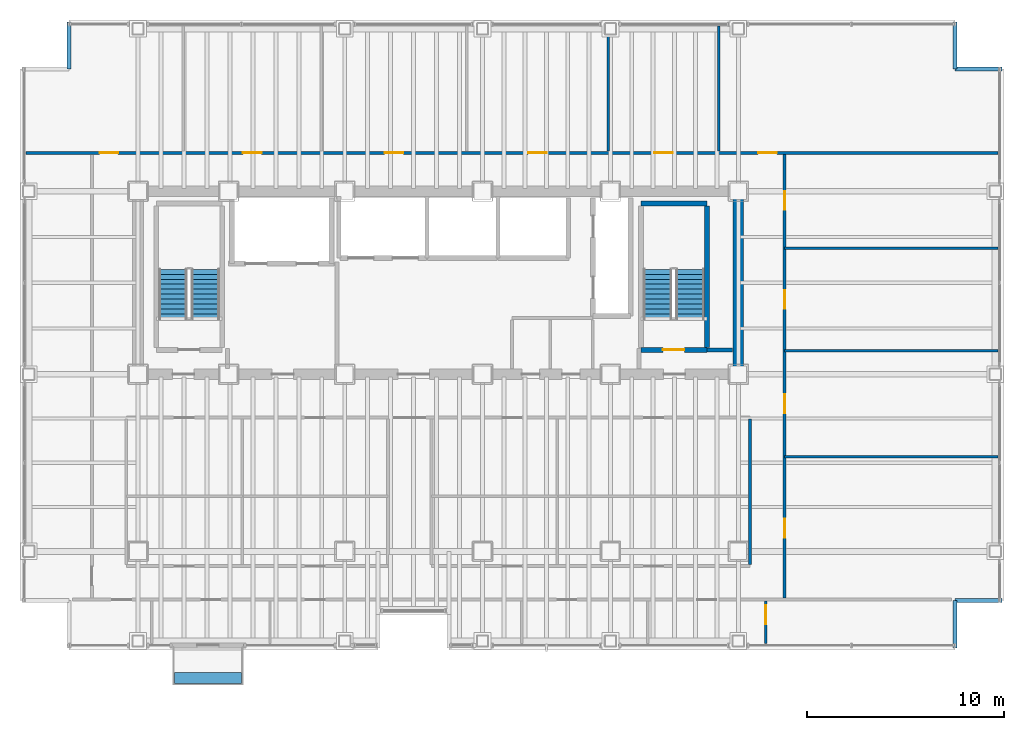
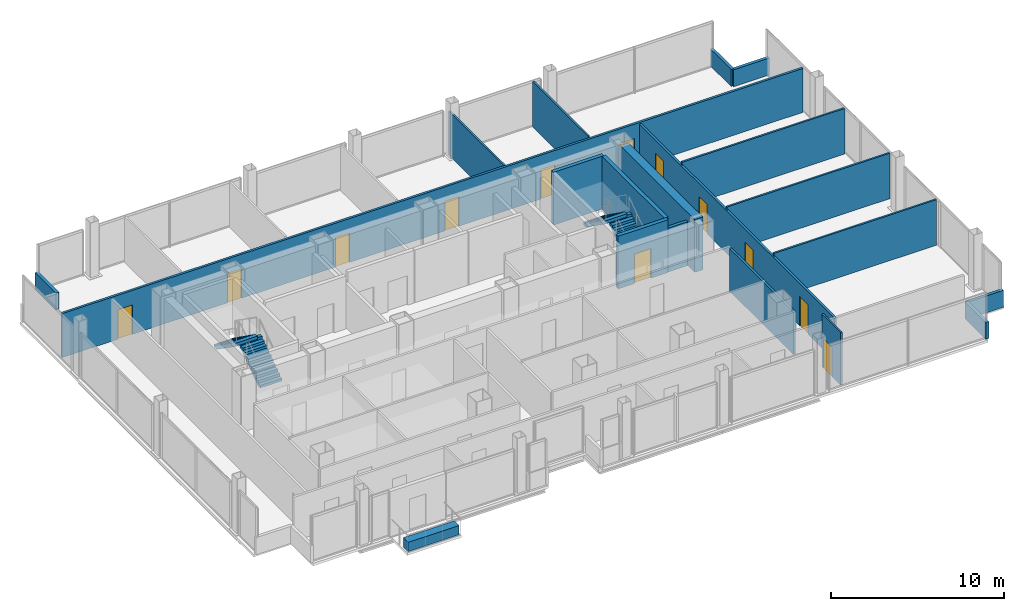
# One storey, part 19 of 20: 19 walls, 12 doors, 4 stair flights, 1 discrete accessory, 12 openings, 2 elements without a shape of their own.
"""IFC4 building model written with IfcOpenShell, lengths in metres."""

from ifc_helpers import new_model, si_unit, direction, frame, frame_2d, origin, origin_2d, place, context, subcontext, project, spatial, polyline, rectangle, outline, extrude, material, layer, layer_set, type_object, element, fill, aggregate, save


model = new_model("IFC4")

# Units and contexts
model_context = context("Model", 3, precision=1e-05, world=origin(), true_north=direction((0.0, 1.0)))
body_context = subcontext(model_context, "Body", "Model", "MODEL_VIEW")
ifc_project = project(units=[si_unit("LENGTHUNIT", "METRE"), si_unit("AREAUNIT", "SQUARE_METRE"), si_unit("VOLUMEUNIT", "CUBIC_METRE"), si_unit("PLANEANGLEUNIT", "RADIAN"), si_unit("MASSUNIT", "GRAM", prefix="KILO")], contexts=[model_context])

# Site, building, storey
site_placement = place(None, origin())
site = spatial("IfcSite", under=ifc_project, at=site_placement, CompositionType="ELEMENT")
building_placement = place(site_placement, origin())
building = spatial("IfcBuilding", under=site, at=building_placement, Name="Noeulbin Bourse Tower", CompositionType="ELEMENT")
storey_placement = place(building_placement, frame((0.0, 0.0, 69.39990234375)))
storey = spatial("IfcBuildingStorey", under=building, at=storey_placement, Name="L17", CompositionType="ELEMENT", Elevation=69.39990234375)

# Walls
ifc_material_1 = material(Name="Concrete C60/75", Category="concrete")
ifc_layer_1 = layer(ifc_material_1, 0.550048828125)
ifc_layer_set_1 = layer_set([ifc_layer_1], Name="Concrete C60/75")
wall_type_1 = type_object("IfcWallType", Name="WAL-CORE-550", PredefinedType="SHEAR", material=ifc_layer_set_1)
wall_1_placement = place(storey_placement, frame((44.0, 29.35009765625, 0.0), z_axis=(0.0, 0.0, 1.0), x_axis=(0.0, 1.0, 0.0)))
element("IfcWall", 1, at=wall_1_placement, inside=storey, type_object=wall_type_1, Name="Rear Core East Shear Wall L17", PredefinedType="SHEAR", context=body_context, shape_type="SweptSolid", body=[
    extrude(rectangle(XDim=8.599853515625, YDim=0.550048828125, at=frame_2d((4.2998046875, 0.0))), origin(), (0.0, 0.0, 1.0), 3.72021484375),
])
ifc_material_2 = material(Name="Concrete C40/50", Category="concrete")
ifc_layer_2 = layer(ifc_material_2, 0.199951171875)
ifc_layer_set_2 = layer_set([ifc_layer_2], Name="Concrete C40/50")
wall_type_2 = type_object("IfcWallType", Name="WAL-FIRE-200", PredefinedType="STANDARD", material=ifc_layer_set_2)
wall_2_placement = place(storey_placement, frame((42.39990234375, 30.239990234375, 0.0), z_axis=(0.0, 0.0, 1.0), x_axis=(1.0, 0.0, 0.0)))
element("IfcWall", 2, at=wall_2_placement, inside=storey, type_object=wall_type_2, Name="Interior Partition Wall L17-01", PredefinedType="STANDARD", context=body_context, shape_type="SweptSolid", body=[
    extrude(rectangle(XDim=1.315185546875, YDim=0.199951171875, at=frame_2d((0.65771484375, 0.0))), origin(), (0.0, 0.0, 1.0), 3.10009765625),
])
ifc_layer_3 = layer(ifc_material_2, 0.199951171875)
ifc_layer_set_3 = layer_set([ifc_layer_3], Name="Concrete C40/50")
wall_type_3 = type_object("IfcWallType", Name="WAL-PAR-200", PredefinedType="PARAPET", material=ifc_layer_set_3)
for number, where, z_axis, x_axis, name in (
    (3, (55.0, 15.10009765625, 0.0), (0.0, 0.0, 1.0), (0.0, 1.0, 0.0), "Corner Notch Parapet L17-SE1"),
    (4, (55.0, 17.5, 0.0), (0.0, 0.0, 1.0), (1.0, 0.0, 0.0), "Corner Notch Parapet L17-SE2"),
    (5, (10.0, 44.5, 0.0), (0.0, 0.0, 1.0), (0.0, 1.0, 0.0), "Corner Notch Parapet L17-NW2"),
    (6, (55.0, 46.89990234375, 0.0), (0.0, 0.0, 1.0), (0.0, -1.0, 0.0), "Corner Notch Parapet L17-NE1"),
    (7, (55.0, 44.5, 0.0), (0.0, 0.0, 1.0), (1.0, 0.0, 0.0), "Corner Notch Parapet L17-NE2"),
):
    element("IfcWall", number, at=place(storey_placement, frame(where, z_axis=z_axis, x_axis=x_axis)), inside=storey, type_object=wall_type_3, Name=name, PredefinedType="PARAPET", context=body_context, shape_type="SweptSolid", body=[
        extrude(rectangle(XDim=2.39990234375, YDim=0.199951171875, at=frame_2d((1.199951171875, 0.0))), origin(), (0.0, 0.0, 1.0), 1.2001953125),
    ])
ifc_material_3 = material(Name="Steel Stud Gypsum Partition", Category="steel")
ifc_layer_4 = layer(ifc_material_3, 0.1201171875)
ifc_layer_set_4 = layer_set([ifc_layer_4], Name="Steel Stud Gypsum Partition")
wall_type_4 = type_object("IfcWallType", Name="WAL-PRT-120", PredefinedType="PARTITIONING", material=ifc_layer_set_4)
for number, where, z_axis, x_axis, name in (
    (8, (46.35009765625, 24.800048828125, 0.0), (0.0, 0.0, 1.0), (1.0, 0.0, 0.0), "Interior Partition Wall L17-11"),
    (9, (46.35009765625, 30.199951171875, 0.0), (0.0, 0.0, 1.0), (1.0, 0.0, 0.0), "Interior Partition Wall L17-12"),
    (10, (46.35009765625, 35.39990234375, 0.0), (0.0, 0.0, 1.0), (1.0, 0.0, 0.0), "Interior Partition Wall L17-13"),
):
    element("IfcWall", number, at=place(storey_placement, frame(where, z_axis=z_axis, x_axis=x_axis)), inside=storey, type_object=wall_type_4, Name=name, PredefinedType="PARTITIONING", context=body_context, shape_type="SweptSolid", body=[
        extrude(rectangle(XDim=10.83984375, YDim=0.1201171875, at=frame_2d((5.419921875, 0.0))), origin(), (0.0, 0.0, 1.0), 3.212158203125),
    ])

# Wall, opening, door
wall_3_placement = place(storey_placement, frame((45.39990234375, 15.31005859375, 0.0), z_axis=(0.0, 0.0, 1.0), x_axis=(0.0, 1.0, 0.0)))
wall_3 = element("IfcWall", 11, at=wall_3_placement, inside=storey, type_object=wall_type_4, Name="Interior Partition Wall L17-31", PredefinedType="PARTITIONING", context=body_context, shape_type="SweptSolid", body=[
    extrude(rectangle(XDim=2.155029296875, YDim=0.1201171875, at=frame_2d((1.07763671875, 0.0))), origin(), (0.0, 0.0, 1.0), 3.72021484375),
])
opening_1_placement = place(wall_3_placement, frame((0.9951171875, 0.0, 0.0)))
opening_1 = element("IfcOpeningElement", 12, at=opening_1_placement, cuts=wall_3, Name="Opening ID-09", PredefinedType="OPENING", context=body_context, shape_type="SweptSolid", body=[
    extrude(rectangle(XDim=0.949951171875, YDim=2.080078125, at=frame_2d((0.47509765625, 1.0400390625))), frame((0.0, 0.070068359375, 0.0), z_axis=(0.0, -1.0, 0.0), x_axis=(1.0, 0.0, 0.0)), (0.0, 0.0, 1.0), 0.14013671875),
])
ifc_material_4 = material(Name="Acoustic Solid-Core Timber", Category="wood")
door_type_1 = type_object("IfcDoorType", Name="DR-SINGLE-950", OperationType="SINGLE_SWING_LEFT", PredefinedType="DOOR", material=ifc_material_4)
door_1_placement = place(opening_1_placement, origin())
door_1 = element("IfcDoor", 13, at=door_1_placement, inside=storey, type_object=door_type_1, Name="Interior Door L17-13", OperationType="SINGLE_SWING_RIGHT", OverallHeight=2.080078125, OverallWidth=0.949951171875, PredefinedType="DOOR", context=body_context, shape_type="SweptSolid", body=[
    extrude(rectangle(XDim=0.949951171875, YDim=2.080078125, at=frame_2d((0.47509765625, 1.0400390625))), frame((0.0, 0.02490234375, 0.0), z_axis=(0.0, -1.0, 0.0), x_axis=(1.0, 0.0, 0.0)), (0.0, 0.0, 1.0), 0.050048828125),
])
fill(opening_1, door_1)

# Walls
wall_4_placement = place(storey_placement, frame((37.39990234375, 40.3349609375, 0.0), z_axis=(0.0, 0.0, 1.0), x_axis=(0.0, 1.0, 0.0)))
element("IfcWall", 14, at=wall_4_placement, inside=storey, type_object=wall_type_4, Name="Interior Partition Wall L17-37", PredefinedType="PARTITIONING", context=body_context, shape_type="SweptSolid", body=[
    extrude(rectangle(XDim=6.35498046875, YDim=0.1201171875, at=frame_2d((3.177490234375, 0.0))), origin(), (0.0, 0.0, 1.0), 3.10009765625),
])
wall_5_placement = place(storey_placement, frame((43.0, 40.3349609375, 0.0), z_axis=(0.0, 0.0, 1.0), x_axis=(0.0, 1.0, 0.0)))
element("IfcWall", 15, at=wall_5_placement, inside=storey, type_object=wall_type_4, Name="Interior Partition Wall L17-38", PredefinedType="PARTITIONING", context=body_context, shape_type="SweptSolid", body=[
    extrude(rectangle(XDim=6.35498046875, YDim=0.1201171875, at=frame_2d((3.177490234375, 0.0))), origin(), (0.0, 0.0, 1.0), 3.212158203125),
])

# Wall, openings, doors
ifc_material_5 = material(Name="Steel Stud Acoustic Gypsum Board", Category="steel")
ifc_layer_5 = layer(ifc_material_5, 0.14990234375)
ifc_layer_set_5 = layer_set([ifc_layer_5], Name="Steel Stud Acoustic Gypsum Board")
wall_type_5 = type_object("IfcWallType", Name="WAL-PRT-150", PredefinedType="PARTITIONING", material=ifc_layer_set_5)
wall_6_placement = place(storey_placement, frame((7.81005859375, 40.25, 0.0), z_axis=(0.0, 0.0, 1.0), x_axis=(1.0, 0.0, 0.0)))
wall_6 = element("IfcWall", 16, at=wall_6_placement, inside=storey, type_object=wall_type_5, Name="Interior Partition Wall L17-14", PredefinedType="PARTITIONING", context=body_context, shape_type="SweptSolid", body=[
    extrude(rectangle(XDim=49.3798828125, YDim=0.14990234375, at=frame_2d((24.68994140625, 0.0))), origin(), (0.0, 0.0, 1.0), 3.10009765625),
])
opening_2_placement = place(wall_6_placement, frame((3.72998046875, 0.0, 0.0)))
opening_2 = element("IfcOpeningElement", 17, at=opening_2_placement, cuts=wall_6, Name="Opening ID-09", PredefinedType="OPENING", context=body_context, shape_type="SweptSolid", body=[
    extrude(rectangle(XDim=0.949951171875, YDim=2.080078125, at=frame_2d((0.47509765625, 1.0400390625))), frame((0.0, 0.0849609375, 0.0), z_axis=(0.0, -1.0, 0.0), x_axis=(1.0, 0.0, 0.0)), (0.0, 0.0, 1.0), 0.169921875),
])
opening_3_placement = place(wall_6_placement, frame((11.014892578125, 0.0, 0.0)))
opening_3 = element("IfcOpeningElement", 18, at=opening_3_placement, cuts=wall_6, Name="Opening ID-09", PredefinedType="OPENING", context=body_context, shape_type="SweptSolid", body=[
    extrude(rectangle(XDim=0.949951171875, YDim=2.080078125, at=frame_2d((0.47509765625, 1.0400390625))), frame((0.0, 0.0849609375, 0.0), z_axis=(0.0, -1.0, 0.0), x_axis=(1.0, 0.0, 0.0)), (0.0, 0.0, 1.0), 0.169921875),
])
opening_4_placement = place(wall_6_placement, frame((18.215087890625, 0.0, 0.0)))
opening_4 = element("IfcOpeningElement", 19, at=opening_4_placement, cuts=wall_6, Name="Opening ID-09", PredefinedType="OPENING", context=body_context, shape_type="SweptSolid", body=[
    extrude(rectangle(XDim=0.949951171875, YDim=2.080078125, at=frame_2d((0.47509765625, 1.0400390625))), frame((0.0, 0.0849609375, 0.0), z_axis=(0.0, -1.0, 0.0), x_axis=(1.0, 0.0, 0.0)), (0.0, 0.0, 1.0), 0.169921875),
])
opening_5_placement = place(wall_6_placement, frame((25.514892578125, 0.0, 0.0)))
opening_5 = element("IfcOpeningElement", 20, at=opening_5_placement, cuts=wall_6, Name="Opening ID-09", PredefinedType="OPENING", context=body_context, shape_type="SweptSolid", body=[
    extrude(rectangle(XDim=0.949951171875, YDim=2.080078125, at=frame_2d((0.47509765625, 1.0400390625))), frame((0.0, 0.0849609375, 0.0), z_axis=(0.0, -1.0, 0.0), x_axis=(1.0, 0.0, 0.0)), (0.0, 0.0, 1.0), 0.169921875),
])
opening_6_placement = place(wall_6_placement, frame((31.9150390625, 0.0, 0.0)))
opening_6 = element("IfcOpeningElement", 21, at=opening_6_placement, cuts=wall_6, Name="Opening ID-09", PredefinedType="OPENING", context=body_context, shape_type="SweptSolid", body=[
    extrude(rectangle(XDim=0.949951171875, YDim=2.080078125, at=frame_2d((0.47509765625, 1.0400390625))), frame((0.0, 0.0849609375, 0.0), z_axis=(0.0, -1.0, 0.0), x_axis=(1.0, 0.0, 0.0)), (0.0, 0.0, 1.0), 0.169921875),
])
opening_7_placement = place(wall_6_placement, frame((37.199951171875, 0.0, 0.0)))
opening_7 = element("IfcOpeningElement", 22, at=opening_7_placement, cuts=wall_6, Name="Opening ID-09", PredefinedType="OPENING", context=body_context, shape_type="SweptSolid", body=[
    extrude(rectangle(XDim=0.949951171875, YDim=2.080078125, at=frame_2d((0.47509765625, 1.0400390625))), frame((0.0, 0.0849609375, 0.0), z_axis=(0.0, -1.0, 0.0), x_axis=(1.0, 0.0, 0.0)), (0.0, 0.0, 1.0), 0.169921875),
])
door_2_placement = place(opening_2_placement, origin())
door_2 = element("IfcDoor", 23, at=door_2_placement, inside=storey, type_object=door_type_1, Name="Interior Door L17-27", OperationType="SINGLE_SWING_RIGHT", OverallHeight=2.080078125, OverallWidth=0.949951171875, PredefinedType="DOOR", context=body_context, shape_type="SweptSolid", body=[
    extrude(rectangle(XDim=0.949951171875, YDim=2.080078125, at=frame_2d((0.47509765625, 1.0400390625))), frame((0.0, 0.02490234375, 0.0), z_axis=(0.0, -1.0, 0.0), x_axis=(1.0, 0.0, 0.0)), (0.0, 0.0, 1.0), 0.050048828125),
])
fill(opening_2, door_2)
door_3_placement = place(opening_3_placement, origin())
door_3 = element("IfcDoor", 24, at=door_3_placement, inside=storey, type_object=door_type_1, Name="Interior Door L17-28", OperationType="SINGLE_SWING_LEFT", OverallHeight=2.080078125, OverallWidth=0.949951171875, PredefinedType="DOOR", context=body_context, shape_type="SweptSolid", body=[
    extrude(rectangle(XDim=0.949951171875, YDim=2.080078125, at=frame_2d((0.47509765625, 1.0400390625))), frame((0.0, 0.02490234375, 0.0), z_axis=(0.0, -1.0, 0.0), x_axis=(1.0, 0.0, 0.0)), (0.0, 0.0, 1.0), 0.050048828125),
])
fill(opening_3, door_3)
door_4_placement = place(opening_4_placement, origin())
door_4 = element("IfcDoor", 25, at=door_4_placement, inside=storey, type_object=door_type_1, Name="Interior Door L17-29", OperationType="SINGLE_SWING_RIGHT", OverallHeight=2.080078125, OverallWidth=0.949951171875, PredefinedType="DOOR", context=body_context, shape_type="SweptSolid", body=[
    extrude(rectangle(XDim=0.949951171875, YDim=2.080078125, at=frame_2d((0.47509765625, 1.0400390625))), frame((0.0, 0.02490234375, 0.0), z_axis=(0.0, -1.0, 0.0), x_axis=(1.0, 0.0, 0.0)), (0.0, 0.0, 1.0), 0.050048828125),
])
fill(opening_4, door_4)
door_5_placement = place(opening_5_placement, origin())
door_5 = element("IfcDoor", 26, at=door_5_placement, inside=storey, type_object=door_type_1, Name="Interior Door L17-30", OperationType="SINGLE_SWING_LEFT", OverallHeight=2.080078125, OverallWidth=0.949951171875, PredefinedType="DOOR", context=body_context, shape_type="SweptSolid", body=[
    extrude(rectangle(XDim=0.949951171875, YDim=2.080078125, at=frame_2d((0.47509765625, 1.0400390625))), frame((0.0, 0.02490234375, 0.0), z_axis=(0.0, -1.0, 0.0), x_axis=(1.0, 0.0, 0.0)), (0.0, 0.0, 1.0), 0.050048828125),
])
fill(opening_5, door_5)
door_6_placement = place(opening_6_placement, origin())
door_6 = element("IfcDoor", 27, at=door_6_placement, inside=storey, type_object=door_type_1, Name="Interior Door L17-31", OperationType="SINGLE_SWING_RIGHT", OverallHeight=2.080078125, OverallWidth=0.949951171875, PredefinedType="DOOR", context=body_context, shape_type="SweptSolid", body=[
    extrude(rectangle(XDim=0.949951171875, YDim=2.080078125, at=frame_2d((0.47509765625, 1.0400390625))), frame((0.0, 0.02490234375, 0.0), z_axis=(0.0, -1.0, 0.0), x_axis=(1.0, 0.0, 0.0)), (0.0, 0.0, 1.0), 0.050048828125),
])
fill(opening_6, door_6)
door_7_placement = place(opening_7_placement, origin())
door_7 = element("IfcDoor", 28, at=door_7_placement, inside=storey, type_object=door_type_1, Name="Interior Door L17-32", OperationType="SINGLE_SWING_LEFT", OverallHeight=2.080078125, OverallWidth=0.949951171875, PredefinedType="DOOR", context=body_context, shape_type="SweptSolid", body=[
    extrude(rectangle(XDim=0.949951171875, YDim=2.080078125, at=frame_2d((0.47509765625, 1.0400390625))), frame((0.0, 0.02490234375, 0.0), z_axis=(0.0, -1.0, 0.0), x_axis=(1.0, 0.0, 0.0)), (0.0, 0.0, 1.0), 0.050048828125),
])
fill(opening_7, door_7)

wall_7_placement = place(storey_placement, frame((46.35009765625, 17.635009765625, 0.0), z_axis=(0.0, 0.0, 1.0), x_axis=(0.0, 1.0, 0.0)))
wall_7 = element("IfcWall", 29, at=wall_7_placement, inside=storey, type_object=wall_type_5, Name="Interior Partition Wall L17-25", PredefinedType="PARTITIONING", context=body_context, shape_type="SweptSolid", body=[
    extrude(rectangle(XDim=22.530029296875, YDim=0.14990234375, at=frame_2d((11.26513671875, 0.0))), origin(), (0.0, 0.0, 1.0), 3.0),
])
opening_8_placement = place(wall_7_placement, frame((3.06494140625, 0.0, 0.0)))
opening_8 = element("IfcOpeningElement", 30, at=opening_8_placement, cuts=wall_7, Name="Opening ID-09", PredefinedType="OPENING", context=body_context, shape_type="SweptSolid", body=[
    extrude(rectangle(XDim=0.949951171875, YDim=2.080078125, at=frame_2d((0.47509765625, 1.0400390625))), frame((0.0, 0.0849609375, 0.0), z_axis=(0.0, -1.0, 0.0), x_axis=(1.0, 0.0, 0.0)), (0.0, 0.0, 1.0), 0.169921875),
])
opening_9_placement = place(wall_7_placement, frame((9.389892578125, 0.0, 0.0)))
opening_9 = element("IfcOpeningElement", 31, at=opening_9_placement, cuts=wall_7, Name="Opening ID-09", PredefinedType="OPENING", context=body_context, shape_type="SweptSolid", body=[
    extrude(rectangle(XDim=0.949951171875, YDim=2.080078125, at=frame_2d((0.47509765625, 1.0400390625))), frame((0.0, 0.0849609375, 0.0), z_axis=(0.0, -1.0, 0.0), x_axis=(1.0, 0.0, 0.0)), (0.0, 0.0, 1.0), 0.169921875),
])
opening_10_placement = place(wall_7_placement, frame((14.68994140625, 0.0, 0.0)))
opening_10 = element("IfcOpeningElement", 32, at=opening_10_placement, cuts=wall_7, Name="Opening ID-09", PredefinedType="OPENING", context=body_context, shape_type="SweptSolid", body=[
    extrude(rectangle(XDim=0.949951171875, YDim=2.080078125, at=frame_2d((0.47509765625, 1.0400390625))), frame((0.0, 0.0849609375, 0.0), z_axis=(0.0, -1.0, 0.0), x_axis=(1.0, 0.0, 0.0)), (0.0, 0.0, 1.0), 0.169921875),
])
opening_11_placement = place(wall_7_placement, frame((19.715087890625, 0.0, 0.0)))
opening_11 = element("IfcOpeningElement", 33, at=opening_11_placement, cuts=wall_7, Name="Opening ID-09", PredefinedType="OPENING", context=body_context, shape_type="SweptSolid", body=[
    extrude(rectangle(XDim=0.949951171875, YDim=2.080078125, at=frame_2d((0.47509765625, 1.0400390625))), frame((0.0, 0.0849609375, 0.0), z_axis=(0.0, -1.0, 0.0), x_axis=(1.0, 0.0, 0.0)), (0.0, 0.0, 1.0), 0.169921875),
])
door_8_placement = place(opening_8_placement, origin())
door_8 = element("IfcDoor", 34, at=door_8_placement, inside=storey, type_object=door_type_1, Name="Interior Door L17-23", OperationType="SINGLE_SWING_RIGHT", OverallHeight=2.080078125, OverallWidth=0.949951171875, PredefinedType="DOOR", context=body_context, shape_type="SweptSolid", body=[
    extrude(rectangle(XDim=0.949951171875, YDim=2.080078125, at=frame_2d((0.47509765625, 1.0400390625))), frame((0.0, 0.02490234375, 0.0), z_axis=(0.0, -1.0, 0.0), x_axis=(1.0, 0.0, 0.0)), (0.0, 0.0, 1.0), 0.050048828125),
])
fill(opening_8, door_8)
door_9_placement = place(opening_9_placement, origin())
door_9 = element("IfcDoor", 35, at=door_9_placement, inside=storey, type_object=door_type_1, Name="Interior Door L17-24", OperationType="SINGLE_SWING_LEFT", OverallHeight=2.080078125, OverallWidth=0.949951171875, PredefinedType="DOOR", context=body_context, shape_type="SweptSolid", body=[
    extrude(rectangle(XDim=0.949951171875, YDim=2.080078125, at=frame_2d((0.47509765625, 1.0400390625))), frame((0.0, 0.02490234375, 0.0), z_axis=(0.0, -1.0, 0.0), x_axis=(1.0, 0.0, 0.0)), (0.0, 0.0, 1.0), 0.050048828125),
])
fill(opening_9, door_9)
door_10_placement = place(opening_10_placement, origin())
door_10 = element("IfcDoor", 36, at=door_10_placement, inside=storey, type_object=door_type_1, Name="Interior Door L17-25", OperationType="SINGLE_SWING_RIGHT", OverallHeight=2.080078125, OverallWidth=0.949951171875, PredefinedType="DOOR", context=body_context, shape_type="SweptSolid", body=[
    extrude(rectangle(XDim=0.949951171875, YDim=2.080078125, at=frame_2d((0.47509765625, 1.0400390625))), frame((0.0, 0.02490234375, 0.0), z_axis=(0.0, -1.0, 0.0), x_axis=(1.0, 0.0, 0.0)), (0.0, 0.0, 1.0), 0.050048828125),
])
fill(opening_10, door_10)
door_11_placement = place(opening_11_placement, origin())
door_11 = element("IfcDoor", 37, at=door_11_placement, inside=storey, type_object=door_type_1, Name="Interior Door L17-26", OperationType="SINGLE_SWING_LEFT", OverallHeight=2.080078125, OverallWidth=0.949951171875, PredefinedType="DOOR", context=body_context, shape_type="SweptSolid", body=[
    extrude(rectangle(XDim=0.949951171875, YDim=2.080078125, at=frame_2d((0.47509765625, 1.0400390625))), frame((0.0, 0.02490234375, 0.0), z_axis=(0.0, -1.0, 0.0), x_axis=(1.0, 0.0, 0.0)), (0.0, 0.0, 1.0), 0.050048828125),
])
fill(opening_11, door_11)

# Wall
wall_8_placement = place(storey_placement, frame((44.60009765625, 19.3349609375, 0.0), z_axis=(0.0, 0.0, 1.0), x_axis=(0.0, 1.0, 0.0)))
element("IfcWall", 38, at=wall_8_placement, inside=storey, type_object=wall_type_5, Name="Interior Partition Wall L17-26", PredefinedType="PARTITIONING", context=body_context, shape_type="SweptSolid", body=[
    extrude(rectangle(XDim=7.380126953125, YDim=0.14990234375, at=frame_2d((3.68994140625, 0.0))), origin(), (0.0, 0.0, 1.0), 3.0),
])

# Wall, opening, door
ifc_layer_6 = layer(ifc_material_2, 0.25)
ifc_layer_set_6 = layer_set([ifc_layer_6], Name="Concrete C40/50")
wall_type_6 = type_object("IfcWallType", Name="WAL-SHFT-250", PredefinedType="STANDARD", material=ifc_layer_set_6)
wall_9_placement = place(storey_placement, frame((39.06005859375, 30.235107421875, 0.0), z_axis=(0.0, 0.0, 1.0), x_axis=(1.0, 0.0, 0.0)))
wall_9 = element("IfcWall", 39, at=wall_9_placement, inside=storey, type_object=wall_type_6, Name="Stair ST-2 South Shaft Wall L17", PredefinedType="STANDARD", context=body_context, shape_type="SweptSolid", body=[
    extrude(rectangle(XDim=3.33984375, YDim=0.25, at=frame_2d((1.669921875, 0.0))), origin(), (0.0, 0.0, 1.0), 3.72021484375),
])
opening_12_placement = place(wall_9_placement, frame((1.10009765625, 0.0, 0.0)))
opening_12 = element("IfcOpeningElement", 40, at=opening_12_placement, cuts=wall_9, Name="Opening FD-11", PredefinedType="OPENING", context=body_context, shape_type="SweptSolid", body=[
    extrude(rectangle(XDim=1.10009765625, YDim=2.080078125, at=frame_2d((0.550048828125, 1.0400390625))), frame((0.0, 0.135009765625, 0.0), z_axis=(0.0, -1.0, 0.0), x_axis=(1.0, 0.0, 0.0)), (0.0, 0.0, 1.0), 0.27001953125),
])
ifc_material_6 = material(Name="Fire-Rated Insulated Steel", Category="steel")
door_type_2 = type_object("IfcDoorType", Name="DR-FD60-1100", OperationType="SINGLE_SWING_LEFT", PredefinedType="DOOR", material=ifc_material_6)
door_12_placement = place(opening_12_placement, origin())
door_12 = element("IfcDoor", 41, at=door_12_placement, inside=storey, type_object=door_type_2, Name="Protected Stair Entry Door ST2-L17", OperationType="SINGLE_SWING_LEFT", OverallHeight=2.080078125, OverallWidth=1.10009765625, PredefinedType="DOOR", context=body_context, shape_type="SweptSolid", body=[
    extrude(rectangle(XDim=1.10009765625, YDim=2.080078125, at=frame_2d((0.550048828125, 1.0400390625))), frame((0.0, 0.02490234375, 0.0), z_axis=(0.0, -1.0, 0.0), x_axis=(1.0, 0.0, 0.0)), (0.0, 0.0, 1.0), 0.050048828125),
])
fill(opening_12, door_12)

# Walls
wall_10_placement = place(storey_placement, frame((39.06005859375, 37.6689453125, 0.0), z_axis=(0.0, 0.0, 1.0), x_axis=(1.0, 0.0, 0.0)))
element("IfcWall", 42, at=wall_10_placement, inside=storey, type_object=wall_type_6, Name="Stair ST-2 North Shaft Wall L17", PredefinedType="STANDARD", context=body_context, shape_type="SweptSolid", body=[
    extrude(rectangle(XDim=3.33984375, YDim=0.25, at=frame_2d((1.669921875, 0.0))), origin(), (0.0, 0.0, 1.0), 3.72021484375),
])
wall_11_placement = place(storey_placement, frame((42.405029296875, 30.360107421875, 0.0), z_axis=(0.0, 0.0, 1.0), x_axis=(0.0, 1.0, 0.0)))
element("IfcWall", 43, at=wall_11_placement, inside=storey, type_object=wall_type_6, Name="Stair ST-2 East Shaft Wall L17", PredefinedType="STANDARD", context=body_context, shape_type="SweptSolid", body=[
    extrude(rectangle(XDim=7.183837890625, YDim=0.25, at=frame_2d((3.591796875, 0.0))), origin(), (0.0, 0.0, 1.0), 3.72021484375),
])

# Stair, stair flights
stair_type = type_object("IfcStairType", Name="STR-CORE-1560", PredefinedType="HALF_TURN_STAIR", material=ifc_material_2)
stair_1_placement = place(storey_placement, origin())
stair_1 = element("IfcStair", 44, at=stair_1_placement, inside=storey, type_object=stair_type, Name="L17 ST-1", PredefinedType="HALF_TURN_STAIR")
stair_flight_type = type_object("IfcStairFlightType", Name="SFL-CORE-1560", PredefinedType="STRAIGHT", material=ifc_material_2)
stair_flight_1_placement = place(storey_placement, frame((16.925048828125, 31.81005859375, 0.0), z_axis=(0.0, 0.0, 1.0), x_axis=(0.0, 1.0, 0.0)))
stair_flight_1 = element("IfcStairFlight", 45, at=stair_flight_1_placement, type_object=stair_flight_type, Name="ST-1 flight 1", NumberOfRisers=11, NumberOfTreads=10, PredefinedType="STRAIGHT", RiserHeight=0.177272727, TreadLength=0.252, context=body_context, shape_type="SweptSolid", body=[
    extrude(outline(polyline([(0.0, 0.0), (0.0, 0.17724609375), (0.251953125, 0.17724609375), (0.251953125, 0.3544921875), (0.50390625, 0.3544921875), (0.50390625, 0.53173828125), (0.756103515625, 0.53173828125), (0.756103515625, 0.708984375), (1.008056640625, 0.708984375), (1.008056640625, 0.886474609375), (1.260009765625, 0.886474609375), (1.260009765625, 1.063720703125), (1.511962890625, 1.063720703125), (1.511962890625, 1.240966796875), (1.763916015625, 1.240966796875), (1.763916015625, 1.418212890625), (2.01611328125, 1.418212890625), (2.01611328125, 1.595458984375), (2.26806640625, 1.595458984375), (2.26806640625, 1.772705078125), (2.52001953125, 1.772705078125), (2.52001953125, 1.949951171875), (2.52001953125, 1.552734375), (0.312744140625, 0.0), (0.0, 0.0)])), frame((0.0, 0.72509765625, 0.0), z_axis=(0.0, -1.0, 0.0), x_axis=(1.0, 0.0, 0.0)), (0.0, 0.0, 1.0), 1.449951171875),
])
stair_flight_2_placement = place(storey_placement, frame((15.27490234375, 34.330078125, 1.9501953125), z_axis=(0.0, 0.0, 1.0), x_axis=(0.0, -1.0, 0.0)))
stair_flight_2 = element("IfcStairFlight", 46, at=stair_flight_2_placement, type_object=stair_flight_type, Name="ST-1 flight 2", NumberOfRisers=11, NumberOfTreads=10, PredefinedType="STRAIGHT", RiserHeight=0.177272727, TreadLength=0.252, context=body_context, shape_type="SweptSolid", body=[
    extrude(outline(polyline([(0.0, 0.0), (0.0, 0.17724609375), (0.251953125, 0.17724609375), (0.251953125, 0.3544921875), (0.50390625, 0.3544921875), (0.50390625, 0.53173828125), (0.756103515625, 0.53173828125), (0.756103515625, 0.708984375), (1.008056640625, 0.708984375), (1.008056640625, 0.886474609375), (1.260009765625, 0.886474609375), (1.260009765625, 1.063720703125), (1.511962890625, 1.063720703125), (1.511962890625, 1.240966796875), (1.763916015625, 1.240966796875), (1.763916015625, 1.418212890625), (2.01611328125, 1.418212890625), (2.01611328125, 1.595458984375), (2.26806640625, 1.595458984375), (2.26806640625, 1.772705078125), (2.52001953125, 1.772705078125), (2.52001953125, 1.949951171875), (2.52001953125, 1.552734375), (0.312744140625, 0.0), (0.0, 0.0)])), frame((0.0, 0.72509765625, 0.0), z_axis=(0.0, -1.0, 0.0), x_axis=(1.0, 0.0, 0.0)), (0.0, 0.0, 1.0), 1.449951171875),
])
aggregate(stair_1, [stair_flight_1, stair_flight_2])

stair_2_placement = place(storey_placement, origin())
stair_2 = element("IfcStair", 47, at=stair_2_placement, inside=storey, type_object=stair_type, Name="L17 ST-2", PredefinedType="HALF_TURN_STAIR")
stair_flight_3_placement = place(storey_placement, frame((41.554931640625, 31.81005859375, 0.0), z_axis=(0.0, 0.0, 1.0), x_axis=(0.0, 1.0, 0.0)))
stair_flight_3 = element("IfcStairFlight", 48, at=stair_flight_3_placement, type_object=stair_flight_type, Name="ST-2 flight 1", NumberOfRisers=11, NumberOfTreads=10, PredefinedType="STRAIGHT", RiserHeight=0.177272727, TreadLength=0.252, context=body_context, shape_type="SweptSolid", body=[
    extrude(outline(polyline([(0.0, 0.0), (0.0, 0.17724609375), (0.251953125, 0.17724609375), (0.251953125, 0.3544921875), (0.50390625, 0.3544921875), (0.50390625, 0.53173828125), (0.756103515625, 0.53173828125), (0.756103515625, 0.708984375), (1.008056640625, 0.708984375), (1.008056640625, 0.886474609375), (1.260009765625, 0.886474609375), (1.260009765625, 1.063720703125), (1.511962890625, 1.063720703125), (1.511962890625, 1.240966796875), (1.763916015625, 1.240966796875), (1.763916015625, 1.418212890625), (2.01611328125, 1.418212890625), (2.01611328125, 1.595458984375), (2.26806640625, 1.595458984375), (2.26806640625, 1.772705078125), (2.52001953125, 1.772705078125), (2.52001953125, 1.949951171875), (2.52001953125, 1.552734375), (0.312744140625, 0.0), (0.0, 0.0)])), frame((0.0, 0.72509765625, 0.0), z_axis=(0.0, -1.0, 0.0), x_axis=(1.0, 0.0, 0.0)), (0.0, 0.0, 1.0), 1.449951171875),
])
stair_flight_4_placement = place(storey_placement, frame((39.905029296875, 34.330078125, 1.9501953125), z_axis=(0.0, 0.0, 1.0), x_axis=(0.0, -1.0, 0.0)))
stair_flight_4 = element("IfcStairFlight", 49, at=stair_flight_4_placement, type_object=stair_flight_type, Name="ST-2 flight 2", NumberOfRisers=11, NumberOfTreads=10, PredefinedType="STRAIGHT", RiserHeight=0.177272727, TreadLength=0.252, context=body_context, shape_type="SweptSolid", body=[
    extrude(outline(polyline([(0.0, 0.0), (0.0, 0.17724609375), (0.251953125, 0.17724609375), (0.251953125, 0.3544921875), (0.50390625, 0.3544921875), (0.50390625, 0.53173828125), (0.756103515625, 0.53173828125), (0.756103515625, 0.708984375), (1.008056640625, 0.708984375), (1.008056640625, 0.886474609375), (1.260009765625, 0.886474609375), (1.260009765625, 1.063720703125), (1.511962890625, 1.063720703125), (1.511962890625, 1.240966796875), (1.763916015625, 1.240966796875), (1.763916015625, 1.418212890625), (2.01611328125, 1.418212890625), (2.01611328125, 1.595458984375), (2.26806640625, 1.595458984375), (2.26806640625, 1.772705078125), (2.52001953125, 1.772705078125), (2.52001953125, 1.949951171875), (2.52001953125, 1.552734375), (0.312744140625, 0.0), (0.0, 0.0)])), frame((0.0, 0.72509765625, 0.0), z_axis=(0.0, -1.0, 0.0), x_axis=(1.0, 0.0, 0.0)), (0.0, 0.0, 1.0), 1.449951171875),
])
aggregate(stair_2, [stair_flight_3, stair_flight_4])

# Discrete accessory
ifc_material_7 = material(Name="Architectural GFRC Concrete C40/50", Category="concrete")
ifc_layer_7 = layer(ifc_material_7, 0.64990234375)
ifc_layer_set_7 = layer_set([ifc_layer_7], Name="Architectural GFRC Concrete C40/50")
discrete_accessory_type = type_object("IfcDiscreteAccessoryType", Name="PLANTER-BOX-3600", PredefinedType="USERDEFINED", material=ifc_layer_set_7)
discrete_accessory_placement = place(storey_placement, frame((17.050048828125, 13.56005859375, 0.000244140625), z_axis=(0.0, 0.0, 1.0), x_axis=(1.0, 0.0, 0.0)))
element("IfcDiscreteAccessory", 50, at=discrete_accessory_placement, inside=storey, type_object=discrete_accessory_type, Name="Integrated Balcony Tree Planter Box L17", ObjectType="PLANTER", PredefinedType="USERDEFINED", context=body_context, shape_type="SweptSolid", body=[
    extrude(rectangle(XDim=3.39990234375, YDim=0.550048828125, at=origin_2d()), origin(), (0.0, 0.0, 1.0), 0.64990234375),
])

save(model, "model.ifc")
